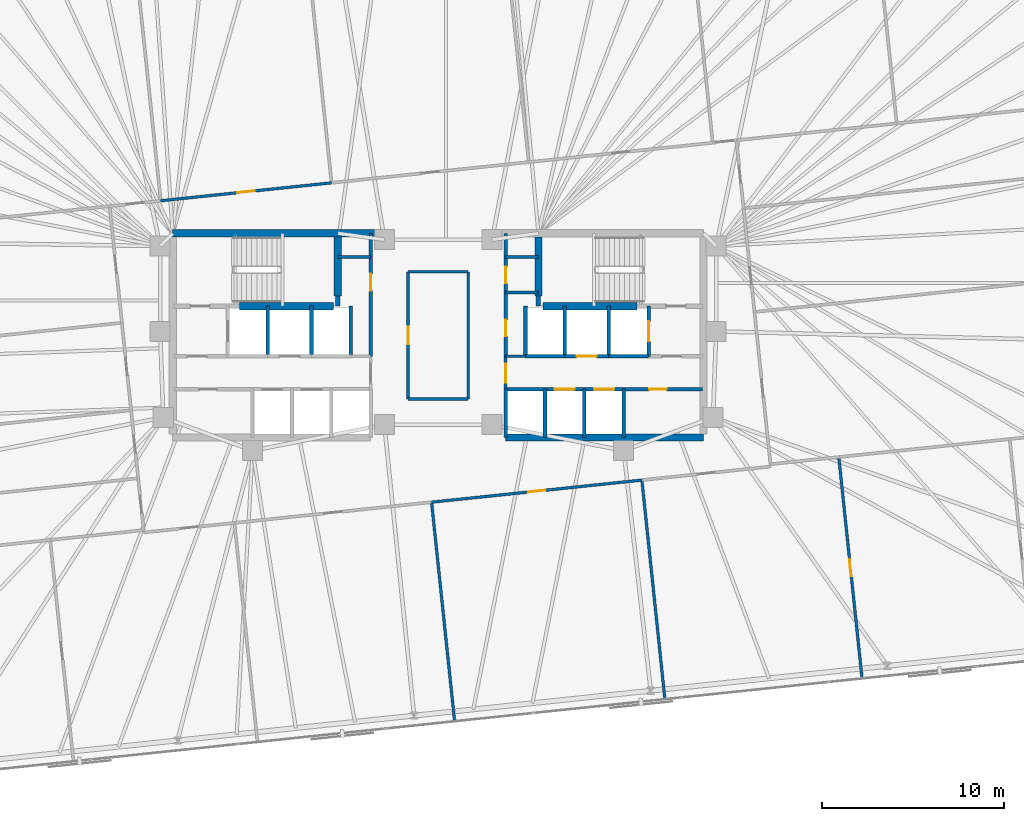
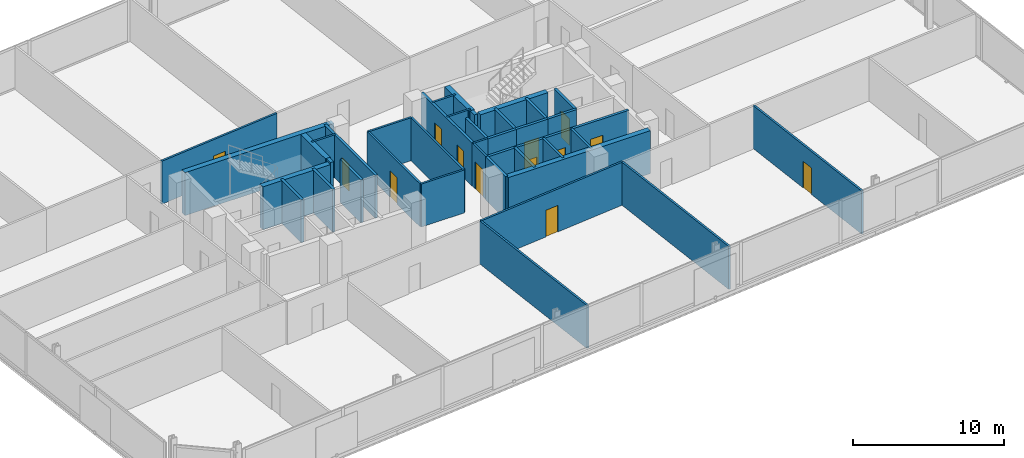
# One storey, part 15 of 18: 39 walls, 13 doors, 13 openings.
"""IFC4 building model written with IfcOpenShell, lengths in metres."""

import ifcopenshell
import ifcopenshell.guid

model = None  # the IFC model being written
_history = None  # IfcOwnerHistory: only IFC2X3 demands one
_inside = {}  # id of a spatial element -> (the spatial element, [elements in it])
_under = {}  # id of a project, library or spatial element -> (it, [spatial elements below it])
_declared = {}  # id of a project -> (the project, [libraries it declares])
_typed = {}  # id of a type object -> (the type object, [elements of that type])
_made_of = {}  # id of a material, layer set ... -> (it, [elements and type objects made of it])


def new_model(schema):
    """Start an empty IFC model of exactly this schema.

    Asked for "IFC4X3", IfcOpenShell would pick the latest addendum, in which some entities
    have other attributes; the version numbers below select the first issue.
    IFC2X3 requires an IfcOwnerHistory on every rooted entity: one is made here for all.
    """
    global model, _history
    if schema == "IFC4X3":
        model = ifcopenshell.file(schema_version=(4, 3, 0, 0))
    else:
        model = ifcopenshell.file(schema=schema)
    _inside.clear()
    _under.clear()
    _declared.clear()
    _typed.clear()
    _made_of.clear()
    _history = None
    if model.schema == "IFC2X3":
        org = make("IfcOrganization", Name="unknown")
        user = make(
            "IfcPersonAndOrganization",
            ThePerson=make("IfcPerson", FamilyName="unknown"),
            TheOrganization=org,
        )
        app = make(
            "IfcApplication",
            ApplicationDeveloper=org,
            Version="unknown",
            ApplicationFullName="unknown",
            ApplicationIdentifier="unknown",
        )
        _history = make(
            "IfcOwnerHistory",
            OwningUser=user,
            OwningApplication=app,
            ChangeAction="ADDED",
            CreationDate=0,
        )
    return model


def make(cls, **values):
    """One entity of the class cls with the attributes given. An attribute that is None is left unset."""
    return model.create_entity(
        cls, **{name: value for name, value in values.items() if value is not None}
    )


def rooted(cls, **values):
    """An entity with a GlobalId (a new one), such as an element, a storey or a relation."""
    return make(cls, GlobalId=ifcopenshell.guid.new(), OwnerHistory=_history, **values)


def si_unit(unit_type, name, prefix=None):
    """IfcSIUnit, for example si_unit("LENGTHUNIT", "METRE", prefix="MILLI")."""
    return make("IfcSIUnit", UnitType=unit_type, Prefix=prefix, Name=name)


def assignment(units):
    """IfcUnitAssignment: the units of a project."""
    return None if units is None else make("IfcUnitAssignment", Units=units)


def point(xyz):
    """IfcCartesianPoint."""
    return None if xyz is None else make("IfcCartesianPoint", Coordinates=xyz)


def direction(xyz):
    """IfcDirection."""
    return None if xyz is None else make("IfcDirection", DirectionRatios=xyz)


def frame(location, z_axis=None, x_axis=None):
    """IfcAxis2Placement3D, a coordinate frame: its origin and axes. An axis left out is left unset."""
    return make(
        "IfcAxis2Placement3D",
        Location=point(location),
        Axis=direction(z_axis),
        RefDirection=direction(x_axis),
    )


def frame_2d(location, x_axis=None):
    """IfcAxis2Placement2D, a coordinate frame in the plane: its origin and x axis."""
    return make(
        "IfcAxis2Placement2D", Location=point(location), RefDirection=direction(x_axis)
    )


def origin():
    """The frame at (0, 0, 0) with its axes left unset."""
    return frame((0.0, 0.0, 0.0))


def place(relative_to, where):
    """IfcLocalPlacement: puts the frame where relative to a parent placement (None: the world)."""
    return make(
        "IfcLocalPlacement", PlacementRelTo=relative_to, RelativePlacement=where
    )


def context(
    kind, dimensions, precision=None, world=None, true_north=None, identifier=None
):
    """IfcGeometricRepresentationContext, for example the 3D "Model" context."""
    return make(
        "IfcGeometricRepresentationContext",
        ContextIdentifier=identifier,
        ContextType=kind,
        CoordinateSpaceDimension=dimensions,
        Precision=precision,
        WorldCoordinateSystem=world,
        TrueNorth=true_north,
    )


def subcontext(parent, identifier, kind, view, scale=None):
    """IfcGeometricRepresentationSubContext, for example "Body" below "Model"."""
    return make(
        "IfcGeometricRepresentationSubContext",
        ContextIdentifier=identifier,
        ContextType=kind,
        ParentContext=parent,
        TargetScale=scale,
        TargetView=view,
    )


def project(units=None, contexts=None):
    """IfcProject with its units and contexts."""
    return rooted(
        "IfcProject",
        Name="project",
        RepresentationContexts=contexts,
        UnitsInContext=assignment(units),
    )


def spatial(cls, under=None, at=None, **own):
    """A site, building, storey or space (cls), placed at a placement, below another one or the project."""
    s = rooted(cls, ObjectPlacement=at, **own)
    if under is not None:
        _under.setdefault(under.id(), (under, []))[1].append(s)
    return s


def profile(cls, at=None, kind="AREA", **sizes):
    """A parametric profile (cls). Its sizes go by their IFC names, for example OverallWidth=200.0."""
    return make(cls, ProfileType=kind, Position=at, **sizes)


def rectangle(**sizes):
    """IfcRectangleProfileDef."""
    return profile("IfcRectangleProfileDef", **sizes)


def extrude(swept, where, along, depth):
    """IfcExtrudedAreaSolid: the profile swept, set in the frame where, extruded along a direction by depth."""
    return make(
        "IfcExtrudedAreaSolid",
        SweptArea=swept,
        Position=where,
        ExtrudedDirection=direction(along),
        Depth=depth,
    )


def shape(context_of_items, identifier, shape_type, items):
    """IfcShapeRepresentation: the items that make up one representation, for example the "Body"."""
    return make(
        "IfcShapeRepresentation",
        ContextOfItems=context_of_items,
        RepresentationIdentifier=identifier,
        RepresentationType=shape_type,
        Items=items,
    )


def material(Name=None, Category=None):
    """IfcMaterial."""
    return make("IfcMaterial", Name=Name, Category=Category)


def layer(
    of_material, thickness, ventilated=None, Name=None, Category=None, Priority=None
):
    """IfcMaterialLayer: one layer of a wall or slab, of a material (None: an air gap)."""
    return make(
        "IfcMaterialLayer",
        Material=of_material,
        LayerThickness=thickness,
        IsVentilated=ventilated,
        Name=Name,
        Category=Category,
        Priority=Priority,
    )


def layer_set(layers, Name=None):
    """IfcMaterialLayerSet."""
    return make("IfcMaterialLayerSet", MaterialLayers=layers, LayerSetName=Name)


def made_of(thing, what):
    """Note that an element or type object is made of a material, layer set ...; save() writes the relation."""
    if what is not None:
        _made_of.setdefault(what.id(), (what, []))[1].append(thing)
    return thing


def type_object(cls, material=None, **own):
    """A type object (cls), such as IfcWallType, which elements share."""
    return made_of(rooted(cls, **own), material)


def element(
    cls,
    number,
    at=None,
    inside=None,
    cuts=None,
    type_object=None,
    material=None,
    context=None,
    identifier="Body",
    shape_type=None,
    held_by="IfcProductDefinitionShape",
    body=None,
    shapes=None,
    **own,
):
    """One element of the class cls, such as IfcWall. Its Tag is "e" and its number.

    at: its placement. inside: the storey or other place that contains it. cuts: it is an
    opening in that element (IfcRelVoidsElement). A single representation is given by context,
    identifier, shape_type and body (its items); several are given by shapes. held_by: the class
    of the entity that holds the representations. save() writes the other relations.
    """
    e = rooted(cls, Tag="e%d" % number, ObjectPlacement=at, **own)
    if body is not None:
        shapes = [shape(context, identifier, shape_type, body)]
    if shapes is not None:
        e.Representation = make(held_by, Representations=shapes)
    if inside is not None:
        _inside.setdefault(inside.id(), (inside, []))[1].append(e)
    if cuts is not None:
        rooted(
            "IfcRelVoidsElement", RelatingBuildingElement=cuts, RelatedOpeningElement=e
        )
    if type_object is not None:
        _typed.setdefault(type_object.id(), (type_object, []))[1].append(e)
    return made_of(e, material)


def fill(opening, filler):
    """IfcRelFillsElement: the door or window that sits in an opening."""
    return rooted(
        "IfcRelFillsElement",
        RelatingOpeningElement=opening,
        RelatedBuildingElement=filler,
    )


def aggregate(whole, parts):
    """IfcRelAggregates: a whole, such as a stair, and the parts it consists of."""
    return rooted("IfcRelAggregates", RelatingObject=whole, RelatedObjects=parts)


def save(model, path):
    """Write the relations noted so far, then the file.

    IfcRelAggregates (storeys below a building ...), IfcRelContainedInSpatialStructure (elements
    in a storey), IfcRelDefinesByType, IfcRelAssociatesMaterial and IfcRelDeclares: one each for
    every whole, place, type object, material and project.
    """
    for whole, parts in _under.values():
        aggregate(whole, parts)
    for where, things in _inside.values():
        rooted(
            "IfcRelContainedInSpatialStructure",
            RelatedElements=things,
            RelatingStructure=where,
        )
    for kind, things in _typed.values():
        rooted("IfcRelDefinesByType", RelatedObjects=things, RelatingType=kind)
    for what, things in _made_of.values():
        rooted("IfcRelAssociatesMaterial", RelatedObjects=things, RelatingMaterial=what)
    for by, libraries in _declared.values():
        rooted("IfcRelDeclares", RelatingContext=by, RelatedDefinitions=libraries)
    model.write(path)


model = new_model("IFC4")

# Units and contexts
model_context = context("Model", 3, precision=1e-05, world=origin(), true_north=direction((0.0, 1.0)))
body_context = subcontext(model_context, "Body", "Model", "MODEL_VIEW")
ifc_project = project(units=[si_unit("LENGTHUNIT", "METRE"), si_unit("AREAUNIT", "SQUARE_METRE"), si_unit("VOLUMEUNIT", "CUBIC_METRE"), si_unit("PLANEANGLEUNIT", "RADIAN"), si_unit("MASSUNIT", "GRAM", prefix="KILO")], contexts=[model_context])

# Site, building, storey
site_placement = place(None, origin())
site = spatial("IfcSite", under=ifc_project, at=site_placement, CompositionType="ELEMENT")
building_placement = place(site_placement, origin())
building = spatial("IfcBuilding", under=site, at=building_placement, Name="Menara Jurai Vektor", CompositionType="ELEMENT")
storey_placement = place(building_placement, frame((0.0, 0.0, 120.699951171875)))
storey = spatial("IfcBuildingStorey", under=building, at=storey_placement, Name="L30", CompositionType="ELEMENT", Elevation=120.699951171875)

# Walls
ifc_material_1 = material(Name="Concrete C40/50", Category="concrete")
ifc_layer_1 = layer(ifc_material_1, 0.25)
ifc_layer_set_1 = layer_set([ifc_layer_1], Name="Concrete C40/50")
wall_type_1 = type_object("IfcWallType", Name="INT-WALL-CORE-250", PredefinedType="STANDARD", material=ifc_layer_set_1)
wall_1_placement = place(storey_placement, frame((-5.5, 1.60009765625, 0.0), z_axis=(0.0, 0.0, 1.0), x_axis=(0.0, 1.0, 0.0)))
element("IfcWall", 1, at=wall_1_placement, inside=storey, type_object=wall_type_1, Name="Interior Wall IW-250 L30", PredefinedType="STANDARD", context=body_context, shape_type="SweptSolid", body=[
    extrude(rectangle(XDim=0.5498046875, YDim=0.25, at=frame_2d((0.27490234375, 0.0))), origin(), (0.0, 0.0, 1.0), 3.47509765625),
])
wall_2_placement = place(storey_placement, frame((-9.35009765625, -1.14990234375, 0.0), z_axis=(0.0, 0.0, 1.0), x_axis=(0.0, 1.0, 0.0)))
element("IfcWall", 2, at=wall_2_placement, inside=storey, type_object=wall_type_1, Name="Interior Wall IW-250 L30", PredefinedType="STANDARD", context=body_context, shape_type="SweptSolid", body=[
    extrude(rectangle(XDim=2.75, YDim=0.199951171875, at=frame_2d((1.375, 0.0))), origin(), (0.0, 0.0, 1.0), 3.47509765625),
])
wall_3_placement = place(storey_placement, frame((5.5, 1.60009765625, 0.0), z_axis=(0.0, 0.0, 1.0), x_axis=(0.0, 1.0, 0.0)))
element("IfcWall", 3, at=wall_3_placement, inside=storey, type_object=wall_type_1, Name="Interior Wall IW-250 L30", PredefinedType="STANDARD", context=body_context, shape_type="SweptSolid", body=[
    extrude(rectangle(XDim=0.5498046875, YDim=0.25, at=frame_2d((0.27490234375, 0.0))), origin(), (0.0, 0.0, 1.0), 3.47509765625),
])

# Wall, opening, door
wall_4_placement = place(storey_placement, frame((11.550048828125, -1.14990234375, 0.0), z_axis=(0.0, 0.0, 1.0), x_axis=(0.0, 1.0, 0.0)))
wall_4 = element("IfcWall", 4, at=wall_4_placement, inside=storey, type_object=wall_type_1, Name="Interior Wall IW-250 L30", PredefinedType="STANDARD", context=body_context, shape_type="SweptSolid", body=[
    extrude(rectangle(XDim=2.75, YDim=0.199951171875, at=frame_2d((1.375, 0.0))), origin(), (0.0, 0.0, 1.0), 3.47509765625),
])
opening_1_placement = place(wall_4_placement, frame((0.824951171875, 0.0, 0.0)))
opening_1 = element("IfcOpeningElement", 5, at=opening_1_placement, cuts=wall_4, Name="Opening LD-L30-FL2", PredefinedType="OPENING", context=body_context, shape_type="SweptSolid", body=[
    extrude(rectangle(XDim=1.10009765625, YDim=2.14990234375, at=frame_2d((0.550048828125, 1.074951171875))), frame((0.0, 0.10986328125, 0.0), z_axis=(0.0, -1.0, 0.0), x_axis=(1.0, 0.0, 0.0)), (0.0, 0.0, 1.0), 0.219970703125),
])
ifc_material_2 = material(Name="Stainless Steel Sliding Lift Landing Door", Category="steel")
door_type_1 = type_object("IfcDoorType", Name="DR-LIFT-FIRE-1100", OperationType="NOTDEFINED", PredefinedType="DOOR", material=ifc_material_2)
door_1_placement = place(opening_1_placement, origin())
door_1 = element("IfcDoor", 6, at=door_1_placement, inside=storey, type_object=door_type_1, Name="Lift Landing Door FL2 L30", OperationType="SLIDING_TO_RIGHT", OverallHeight=2.14990234375, OverallWidth=1.10009765625, PredefinedType="DOOR", context=body_context, shape_type="SweptSolid", body=[
    extrude(rectangle(XDim=1.10009765625, YDim=2.14990234375, at=frame_2d((0.550048828125, 1.074951171875))), frame((0.0, 0.02490234375, 0.0), z_axis=(0.0, -1.0, 0.0), x_axis=(1.0, 0.0, 0.0)), (0.0, 0.0, 1.0), 0.050048828125),
])
fill(opening_1, door_1)

# Walls
wall_5_placement = place(storey_placement, frame((9.35009765625, -1.14990234375, 0.0), z_axis=(0.0, 0.0, 1.0), x_axis=(0.0, 1.0, 0.0)))
element("IfcWall", 7, at=wall_5_placement, inside=storey, type_object=wall_type_1, Name="Interior Wall IW-250 L30", PredefinedType="STANDARD", context=body_context, shape_type="SweptSolid", body=[
    extrude(rectangle(XDim=2.75, YDim=0.199951171875, at=frame_2d((1.375, 0.0))), origin(), (0.0, 0.0, 1.0), 3.47509765625),
])
wall_6_placement = place(storey_placement, frame((9.35009765625, -1.14990234375, 0.0), z_axis=(0.0, 0.0, 1.0), x_axis=(1.0, 0.0, 0.0)))
element("IfcWall", 8, at=wall_6_placement, inside=storey, type_object=wall_type_1, Name="Interior Wall IW-250 L30", PredefinedType="STANDARD", context=body_context, shape_type="SweptSolid", body=[
    extrude(rectangle(XDim=2.199951171875, YDim=0.199951171875, at=frame_2d((1.10009765625, 0.0))), origin(), (0.0, 0.0, 1.0), 3.47509765625),
])

# Wall, opening, door
ifc_material_3 = material(Name="Gypsum Fireboard Partition", Category="gypsum")
ifc_layer_2 = layer(ifc_material_3, 0.14990234375)
ifc_layer_set_2 = layer_set([ifc_layer_2], Name="Gypsum Fireboard Partition")
wall_type_2 = type_object("IfcWallType", Name="INT-WALL-CORR-150", PredefinedType="PARTITIONING", material=ifc_layer_set_2)
wall_7_placement = place(storey_placement, frame((3.699951171875, -2.949951171875, 0.0), z_axis=(0.0, 0.0, 1.0), x_axis=(0.0, 1.0, 0.0)))
wall_7 = element("IfcWall", 9, at=wall_7_placement, inside=storey, type_object=wall_type_2, Name="Interior Wall IW-150 L30", PredefinedType="PARTITIONING", context=body_context, shape_type="SweptSolid", body=[
    extrude(rectangle(XDim=1.800048828125, YDim=0.14990234375, at=frame_2d((0.89990234375, 0.0))), origin(), (0.0, 0.0, 1.0), 3.47509765625),
])
opening_2_placement = place(wall_7_placement, frame((0.35009765625, 0.0, 0.0)))
opening_2 = element("IfcOpeningElement", 10, at=opening_2_placement, cuts=wall_7, Name="Opening D-L30-LLE", PredefinedType="OPENING", context=body_context, shape_type="SweptSolid", body=[
    extrude(rectangle(XDim=1.050048828125, YDim=2.179931640625, at=frame_2d((0.52490234375, 1.08984375))), frame((0.0, 0.0849609375, 0.0), z_axis=(0.0, -1.0, 0.0), x_axis=(1.0, 0.0, 0.0)), (0.0, 0.0, 1.0), 0.169921875),
])
ifc_material_4 = material(Name="Fire-Rated Timber Door", Category="wood")
door_type_2 = type_object("IfcDoorType", Name="DR-LOBBY-1050", OperationType="NOTDEFINED", PredefinedType="DOOR", material=ifc_material_4)
door_2_placement = place(opening_2_placement, frame((1.050048828125, 0.0, 0.0), z_axis=(0.0, 0.0, 1.0), x_axis=(-1.0, 0.0, 0.0)))
door_2 = element("IfcDoor", 11, at=door_2_placement, inside=storey, type_object=door_type_2, Name="Lift Lobby Corridor Door E L30", OperationType="SINGLE_SWING_RIGHT", OverallHeight=2.179931640625, OverallWidth=1.050048828125, PredefinedType="DOOR", context=body_context, shape_type="SweptSolid", body=[
    extrude(rectangle(XDim=1.050048828125, YDim=2.179931640625, at=frame_2d((0.52490234375, 1.08984375))), frame((0.0, 0.02490234375, 0.0), z_axis=(0.0, -1.0, 0.0), x_axis=(1.0, 0.0, 0.0)), (0.0, 0.0, 1.0), 0.050048828125),
])
fill(opening_2, door_2)

# Walls
wall_8_placement = place(storey_placement, frame((3.699951171875, -1.14990234375, 0.0), z_axis=(0.0, 0.0, 1.0), x_axis=(1.0, 0.0, 0.0)))
element("IfcWall", 12, at=wall_8_placement, inside=storey, type_object=wall_type_2, Name="Interior Wall IW-150 L30", PredefinedType="PARTITIONING", context=body_context, shape_type="SweptSolid", body=[
    extrude(rectangle(XDim=1.090087890625, YDim=0.14990234375, at=frame_2d((0.544921875, 0.0))), origin(), (0.0, 0.0, 1.0), 3.47509765625),
])
for number, where, z_axis, x_axis, name in (
    (13, (-5.5, 4.300048828125, 0.0), (0.0, 0.0, 1.0), (1.0, 0.0, 0.0), "Interior Wall IW-150 L30"),
    (14, (3.699951171875, 4.300048828125, 0.0), (0.0, 0.0, 1.0), (1.0, 0.0, 0.0), "Interior Wall IW-150 L30"),
    (15, (3.699951171875, 2.35009765625, 0.0), (0.0, 0.0, 1.0), (1.0, 0.0, 0.0), "Interior Wall IW-150 L30"),
):
    element("IfcWall", number, at=place(storey_placement, frame(where, z_axis=z_axis, x_axis=x_axis)), inside=storey, type_object=wall_type_2, Name=name, PredefinedType="PARTITIONING", context=body_context, shape_type="SweptSolid", body=[
        extrude(rectangle(XDim=1.800048828125, YDim=0.14990234375, at=frame_2d((0.89990234375, 0.0))), origin(), (0.0, 0.0, 1.0), 3.47509765625),
    ])

# Wall, opening, door
wall_9_placement = place(storey_placement, frame((-1.649658203125, -3.490478515625, 0.0), z_axis=(0.0, 0.0, 1.0), x_axis=(-0.000104928124, 0.999999994495, 0.0)))
wall_9 = element("IfcWall", 16, at=wall_9_placement, inside=storey, type_object=wall_type_2, Name="Interior Wall IW-150 L30", PredefinedType="PARTITIONING", context=body_context, shape_type="SweptSolid", body=[
    extrude(rectangle(XDim=6.980224609375, YDim=0.14990234375, at=frame_2d((3.490234375, 0.0))), origin(), (0.0, 0.0, 1.0), 3.47509765625),
])
opening_3_placement = place(wall_9_placement, frame((3.01513671875, 0.0, 0.0)))
opening_3 = element("IfcOpeningElement", 17, at=opening_3_placement, cuts=wall_9, Name="Opening D30-06", PredefinedType="OPENING", context=body_context, shape_type="SweptSolid", body=[
    extrude(rectangle(XDim=0.949951171875, YDim=2.14990234375, at=frame_2d((0.47509765625, 1.074951171875))), frame((0.0, 0.0849609375, 0.0), z_axis=(0.0, -1.0, 0.0), x_axis=(1.0, 0.0, 0.0)), (0.0, 0.0, 1.0), 0.169921875),
])
ifc_material_5 = material(Name="Solid Core Timber Fire Door", Category="wood")
door_type_3 = type_object("IfcDoorType", Name="DR-ENTRY-950", OperationType="NOTDEFINED", PredefinedType="DOOR", material=ifc_material_5)
door_3_placement = place(opening_3_placement, origin())
door_3 = element("IfcDoor", 18, at=door_3_placement, inside=storey, type_object=door_type_3, Name="Interior Door D30-06", OperationType="SINGLE_SWING_LEFT", OverallHeight=2.14990234375, OverallWidth=0.949951171875, PredefinedType="DOOR", context=body_context, shape_type="SweptSolid", body=[
    extrude(rectangle(XDim=0.949951171875, YDim=2.14990234375, at=frame_2d((0.47509765625, 1.074951171875))), frame((0.0, 0.02490234375, 0.0), z_axis=(0.0, -1.0, 0.0), x_axis=(1.0, 0.0, 0.0)), (0.0, 0.0, 1.0), 0.050048828125),
])
fill(opening_3, door_3)

# Walls
wall_10_placement = place(storey_placement, frame((-1.649658203125, -3.490478515625, 0.0), z_axis=(0.0, 0.0, 1.0), x_axis=(1.0, 0.0, 0.0)))
element("IfcWall", 19, at=wall_10_placement, inside=storey, type_object=wall_type_2, Name="Interior Wall IW-150 L30", PredefinedType="PARTITIONING", context=body_context, shape_type="SweptSolid", body=[
    extrude(rectangle(XDim=3.300048828125, YDim=0.14990234375, at=frame_2d((1.64990234375, 0.0))), origin(), (0.0, 0.0, 1.0), 3.47509765625),
])
wall_11_placement = place(storey_placement, frame((-1.650390625, 3.48974609375, 0.0), z_axis=(0.0, 0.0, 1.0), x_axis=(1.0, 0.0, 0.0)))
element("IfcWall", 20, at=wall_11_placement, inside=storey, type_object=wall_type_2, Name="Interior Wall IW-150 L30", PredefinedType="PARTITIONING", context=body_context, shape_type="SweptSolid", body=[
    extrude(rectangle(XDim=3.30029296875, YDim=0.14990234375, at=frame_2d((1.650146484375, 0.0))), origin(), (0.0, 0.0, 1.0), 3.47509765625),
])
wall_12_placement = place(storey_placement, frame((1.650390625, -3.490478515625, 0.0), z_axis=(0.0, 0.0, 1.0), x_axis=(-6.9952083e-05, 0.999999997553, 0.0)))
element("IfcWall", 21, at=wall_12_placement, inside=storey, type_object=wall_type_2, Name="Interior Wall IW-150 L30", PredefinedType="PARTITIONING", context=body_context, shape_type="SweptSolid", body=[
    extrude(rectangle(XDim=6.980224609375, YDim=0.14990234375, at=frame_2d((3.490234375, 0.0))), origin(), (0.0, 0.0, 1.0), 3.47509765625),
])

# Wall, opening, door
wall_13_placement = place(storey_placement, frame((-15.2197265625, 7.384765625, 0.0), z_axis=(0.0, 0.0, 1.0), x_axis=(0.994522614078, 0.104521624979, 0.0)))
wall_13 = element("IfcWall", 22, at=wall_13_placement, inside=storey, type_object=wall_type_2, Name="Interior Wall IW-150 L30", PredefinedType="PARTITIONING", context=body_context, shape_type="SweptSolid", body=[
    extrude(rectangle(XDim=9.4248046875, YDim=0.14990234375, at=frame_2d((4.71240234375, 0.0))), origin(), (0.0, 0.0, 1.0), 3.47509765625),
])
opening_4_placement = place(wall_13_placement, frame((4.237548828125, 0.0, 0.0)))
opening_4 = element("IfcOpeningElement", 23, at=opening_4_placement, cuts=wall_13, Name="Opening D30-08", PredefinedType="OPENING", context=body_context, shape_type="SweptSolid", body=[
    extrude(rectangle(XDim=0.949951171875, YDim=2.14990234375, at=frame_2d((0.47509765625, 1.074951171875))), frame((0.0, 0.0849609375, 0.0), z_axis=(0.0, -1.0, 0.0), x_axis=(1.0, 0.0, 0.0)), (0.0, 0.0, 1.0), 0.169921875),
])
door_4_placement = place(opening_4_placement, origin())
door_4 = element("IfcDoor", 24, at=door_4_placement, inside=storey, type_object=door_type_3, Name="Interior Door D30-08", OperationType="SINGLE_SWING_LEFT", OverallHeight=2.14990234375, OverallWidth=0.949951171875, PredefinedType="DOOR", context=body_context, shape_type="SweptSolid", body=[
    extrude(rectangle(XDim=0.949951171875, YDim=2.14990234375, at=frame_2d((0.47509765625, 1.074951171875))), frame((0.0, 0.02490234375, 0.0), z_axis=(0.0, -1.0, 0.0), x_axis=(1.0, 0.0, 0.0)), (0.0, 0.0, 1.0), 0.050048828125),
])
fill(opening_4, door_4)

wall_14_placement = place(storey_placement, frame((-0.35986328125, -9.150634765625, 0.0), z_axis=(0.0, 0.0, 1.0), x_axis=(0.994520780406, 0.10453907088, 0.0)))
wall_14 = element("IfcWall", 25, at=wall_14_placement, inside=storey, type_object=wall_type_2, Name="Interior Wall IW-150 L30", PredefinedType="PARTITIONING", context=body_context, shape_type="SweptSolid", body=[
    extrude(rectangle(XDim=11.599853515625, YDim=0.14990234375, at=frame_2d((5.7998046875, 0.0))), origin(), (0.0, 0.0, 1.0), 3.47509765625),
])
opening_5_placement = place(wall_14_placement, frame((5.324951171875, 0.0, 0.0)))
opening_5 = element("IfcOpeningElement", 26, at=opening_5_placement, cuts=wall_14, Name="Opening D30-14", PredefinedType="OPENING", context=body_context, shape_type="SweptSolid", body=[
    extrude(rectangle(XDim=0.949951171875, YDim=2.14990234375, at=frame_2d((0.47509765625, 1.074951171875))), frame((0.0, 0.0849609375, 0.0), z_axis=(0.0, -1.0, 0.0), x_axis=(1.0, 0.0, 0.0)), (0.0, 0.0, 1.0), 0.169921875),
])
door_5_placement = place(opening_5_placement, origin())
door_5 = element("IfcDoor", 27, at=door_5_placement, inside=storey, type_object=door_type_3, Name="Interior Door D30-14", OperationType="SINGLE_SWING_LEFT", OverallHeight=2.14990234375, OverallWidth=0.949951171875, PredefinedType="DOOR", context=body_context, shape_type="SweptSolid", body=[
    extrude(rectangle(XDim=0.949951171875, YDim=2.14990234375, at=frame_2d((0.47509765625, 1.074951171875))), frame((0.0, 0.02490234375, 0.0), z_axis=(0.0, -1.0, 0.0), x_axis=(1.0, 0.0, 0.0)), (0.0, 0.0, 1.0), 0.050048828125),
])
fill(opening_5, door_5)

# Walls
wall_15_placement = place(storey_placement, frame((0.904052734375, -21.17724609375, 0.0), z_axis=(0.0, 0.0, 1.0), x_axis=(-0.104517685722, 0.994523028075, 0.0)))
element("IfcWall", 28, at=wall_15_placement, inside=storey, type_object=wall_type_2, Name="Interior Wall IW-150 L30", PredefinedType="PARTITIONING", context=body_context, shape_type="SweptSolid", body=[
    extrude(rectangle(XDim=12.0927734375, YDim=0.14990234375, at=frame_2d((6.04638671875, 0.0))), origin(), (0.0, 0.0, 1.0), 3.47509765625),
])
wall_16_placement = place(storey_placement, frame((12.440673828125, -19.96484375, 0.0), z_axis=(0.0, 0.0, 1.0), x_axis=(-0.104535555083, 0.994521149963, 0.0)))
element("IfcWall", 29, at=wall_16_placement, inside=storey, type_object=wall_type_2, Name="Interior Wall IW-150 L30", PredefinedType="PARTITIONING", context=body_context, shape_type="SweptSolid", body=[
    extrude(rectangle(XDim=12.093017578125, YDim=0.14990234375, at=frame_2d((6.04638671875, 0.0))), origin(), (0.0, 0.0, 1.0), 3.47509765625),
])

# Wall, opening, door
wall_17_placement = place(storey_placement, frame((23.256103515625, -18.828125, 0.0), z_axis=(0.0, 0.0, 1.0), x_axis=(-0.104540236679, 0.994520657862, 0.0)))
wall_17 = element("IfcWall", 30, at=wall_17_placement, inside=storey, type_object=wall_type_2, Name="Interior Wall IW-150 L30", PredefinedType="PARTITIONING", context=body_context, shape_type="SweptSolid", body=[
    extrude(rectangle(XDim=12.220947265625, YDim=0.14990234375, at=frame_2d((6.1103515625, 0.0))), origin(), (0.0, 0.0, 1.0), 3.47509765625),
])
opening_6_placement = place(wall_17_placement, frame((5.635498046875, 0.0, 0.0)))
opening_6 = element("IfcOpeningElement", 31, at=opening_6_placement, cuts=wall_17, Name="Opening D30-26", PredefinedType="OPENING", context=body_context, shape_type="SweptSolid", body=[
    extrude(rectangle(XDim=0.949951171875, YDim=2.14990234375, at=frame_2d((0.47509765625, 1.074951171875))), frame((0.0, 0.0849609375, 0.0), z_axis=(0.0, -1.0, 0.0), x_axis=(1.0, 0.0, 0.0)), (0.0, 0.0, 1.0), 0.169921875),
])
door_6_placement = place(opening_6_placement, origin())
door_6 = element("IfcDoor", 32, at=door_6_placement, inside=storey, type_object=door_type_3, Name="Interior Door D30-26", OperationType="SINGLE_SWING_LEFT", OverallHeight=2.14990234375, OverallWidth=0.949951171875, PredefinedType="DOOR", context=body_context, shape_type="SweptSolid", body=[
    extrude(rectangle(XDim=0.949951171875, YDim=2.14990234375, at=frame_2d((0.47509765625, 1.074951171875))), frame((0.0, 0.02490234375, 0.0), z_axis=(0.0, -1.0, 0.0), x_axis=(1.0, 0.0, 0.0)), (0.0, 0.0, 1.0), 0.050048828125),
])
fill(opening_6, door_6)

ifc_layer_3 = layer(ifc_material_1, 0.199951171875)
ifc_layer_set_3 = layer_set([ifc_layer_3], Name="Concrete C40/50")
wall_type_3 = type_object("IfcWallType", Name="INT-WALL-SHAFT-200", PredefinedType="STANDARD", material=ifc_layer_set_3)
wall_18_placement = place(storey_placement, frame((-3.699951171875, -1.14990234375, 0.0), z_axis=(0.0, 0.0, 1.0), x_axis=(0.0, 1.0, 0.0)))
wall_18 = element("IfcWall", 33, at=wall_18_placement, inside=storey, type_object=wall_type_3, Name="Interior Wall IW-200 L30", PredefinedType="STANDARD", context=body_context, shape_type="SweptSolid", body=[
    extrude(rectangle(XDim=6.75, YDim=0.199951171875, at=frame_2d((3.375, 0.0))), origin(), (0.0, 0.0, 1.0), 3.47509765625),
])
opening_7_placement = place(wall_18_placement, frame((3.60009765625, 0.0, 0.0)))
opening_7 = element("IfcOpeningElement", 34, at=opening_7_placement, cuts=wall_18, Name="Opening D30-02", PredefinedType="OPENING", context=body_context, shape_type="SweptSolid", body=[
    extrude(rectangle(XDim=0.919921875, YDim=2.14990234375, at=frame_2d((0.4599609375, 1.074951171875))), frame((0.0, 0.10986328125, 0.0), z_axis=(0.0, -1.0, 0.0), x_axis=(1.0, 0.0, 0.0)), (0.0, 0.0, 1.0), 0.219970703125),
])
door_7_placement = place(opening_7_placement, origin())
door_7 = element("IfcDoor", 35, at=door_7_placement, inside=storey, type_object=door_type_3, Name="Interior Door D30-02", OperationType="SINGLE_SWING_LEFT", OverallHeight=2.14990234375, OverallWidth=0.919921875, PredefinedType="DOOR", context=body_context, shape_type="SweptSolid", body=[
    extrude(rectangle(XDim=0.919921875, YDim=2.14990234375, at=frame_2d((0.4599609375, 1.074951171875))), frame((0.0, 0.02490234375, 0.0), z_axis=(0.0, -1.0, 0.0), x_axis=(1.0, 0.0, 0.0)), (0.0, 0.0, 1.0), 0.050048828125),
])
fill(opening_7, door_7)

# Walls
for number, where, z_axis, x_axis, name in (
    (36, (-6.949951171875, -1.14990234375, 0.0), (0.0, 0.0, 1.0), (0.0, 1.0, 0.0), "Interior Wall IW-200 L30"),
    (37, (-4.7900390625, -1.14990234375, 0.0), (0.0, 0.0, 1.0), (0.0, 1.0, 0.0), "Interior Wall IW-200 L30"),
):
    element("IfcWall", number, at=place(storey_placement, frame(where, z_axis=z_axis, x_axis=x_axis)), inside=storey, type_object=wall_type_3, Name=name, PredefinedType="STANDARD", context=body_context, shape_type="SweptSolid", body=[
        extrude(rectangle(XDim=2.75, YDim=0.199951171875, at=frame_2d((1.375, 0.0))), origin(), (0.0, 0.0, 1.0), 3.47509765625),
    ])

# Wall, openings, doors
wall_19_placement = place(storey_placement, frame((3.699951171875, -1.14990234375, 0.0), z_axis=(0.0, 0.0, 1.0), x_axis=(0.0, 1.0, 0.0)))
wall_19 = element("IfcWall", 38, at=wall_19_placement, inside=storey, type_object=wall_type_3, Name="Interior Wall IW-200 L30", PredefinedType="STANDARD", context=body_context, shape_type="SweptSolid", body=[
    extrude(rectangle(XDim=6.75, YDim=0.199951171875, at=frame_2d((3.375, 0.0))), origin(), (0.0, 0.0, 1.0), 3.47509765625),
])
opening_8_placement = place(wall_19_placement, frame((1.10009765625, 0.0, 0.0)))
opening_8 = element("IfcOpeningElement", 39, at=opening_8_placement, cuts=wall_19, Name="Opening D30-04", PredefinedType="OPENING", context=body_context, shape_type="SweptSolid", body=[
    extrude(rectangle(XDim=0.89990234375, YDim=2.14990234375, at=frame_2d((0.449951171875, 1.074951171875))), frame((0.0, 0.10986328125, 0.0), z_axis=(0.0, -1.0, 0.0), x_axis=(1.0, 0.0, 0.0)), (0.0, 0.0, 1.0), 0.219970703125),
])
opening_9_placement = place(wall_19_placement, frame((4.0, 0.0, 0.0)))
opening_9 = element("IfcOpeningElement", 40, at=opening_9_placement, cuts=wall_19, Name="Opening D30-05", PredefinedType="OPENING", context=body_context, shape_type="SweptSolid", body=[
    extrude(rectangle(XDim=0.919921875, YDim=2.14990234375, at=frame_2d((0.4599609375, 1.074951171875))), frame((0.0, 0.10986328125, 0.0), z_axis=(0.0, -1.0, 0.0), x_axis=(1.0, 0.0, 0.0)), (0.0, 0.0, 1.0), 0.219970703125),
])
door_8_placement = place(opening_8_placement, origin())
door_8 = element("IfcDoor", 41, at=door_8_placement, inside=storey, type_object=door_type_3, Name="Interior Door D30-04", OperationType="SINGLE_SWING_RIGHT", OverallHeight=2.14990234375, OverallWidth=0.89990234375, PredefinedType="DOOR", context=body_context, shape_type="SweptSolid", body=[
    extrude(rectangle(XDim=0.89990234375, YDim=2.14990234375, at=frame_2d((0.449951171875, 1.074951171875))), frame((0.0, 0.02490234375, 0.0), z_axis=(0.0, -1.0, 0.0), x_axis=(1.0, 0.0, 0.0)), (0.0, 0.0, 1.0), 0.050048828125),
])
fill(opening_8, door_8)
door_9_placement = place(opening_9_placement, origin())
door_9 = element("IfcDoor", 42, at=door_9_placement, inside=storey, type_object=door_type_3, Name="Interior Door D30-05", OperationType="SINGLE_SWING_RIGHT", OverallHeight=2.14990234375, OverallWidth=0.919921875, PredefinedType="DOOR", context=body_context, shape_type="SweptSolid", body=[
    extrude(rectangle(XDim=0.919921875, YDim=2.14990234375, at=frame_2d((0.4599609375, 1.074951171875))), frame((0.0, 0.02490234375, 0.0), z_axis=(0.0, -1.0, 0.0), x_axis=(1.0, 0.0, 0.0)), (0.0, 0.0, 1.0), 0.050048828125),
])
fill(opening_9, door_9)

# Walls
wall_20_placement = place(storey_placement, frame((3.699951171875, -5.60009765625, 0.0), z_axis=(0.0, 0.0, 1.0), x_axis=(0.0, 1.0, 0.0)))
element("IfcWall", 43, at=wall_20_placement, inside=storey, type_object=wall_type_3, Name="Interior Wall IW-200 L30", PredefinedType="STANDARD", context=body_context, shape_type="SweptSolid", body=[
    extrude(rectangle(XDim=2.650146484375, YDim=0.199951171875, at=frame_2d((1.3251953125, 0.0))), origin(), (0.0, 0.0, 1.0), 3.47509765625),
])
wall_21_placement = place(storey_placement, frame((6.949951171875, -1.14990234375, 0.0), z_axis=(0.0, 0.0, 1.0), x_axis=(0.0, 1.0, 0.0)))
element("IfcWall", 44, at=wall_21_placement, inside=storey, type_object=wall_type_3, Name="Interior Wall IW-200 L30", PredefinedType="STANDARD", context=body_context, shape_type="SweptSolid", body=[
    extrude(rectangle(XDim=2.75, YDim=0.199951171875, at=frame_2d((1.375, 0.0))), origin(), (0.0, 0.0, 1.0), 3.47509765625),
])

# Wall, opening, door
wall_22_placement = place(storey_placement, frame((6.949951171875, -1.14990234375, 0.0), z_axis=(0.0, 0.0, 1.0), x_axis=(1.0, 0.0, 0.0)))
wall_22 = element("IfcWall", 45, at=wall_22_placement, inside=storey, type_object=wall_type_3, Name="Interior Wall IW-200 L30", PredefinedType="STANDARD", context=body_context, shape_type="SweptSolid", body=[
    extrude(rectangle(XDim=2.400146484375, YDim=0.199951171875, at=frame_2d((1.2001953125, 0.0))), origin(), (0.0, 0.0, 1.0), 3.47509765625),
])
opening_10_placement = place(wall_22_placement, frame((0.64990234375, 0.0, 0.0)))
opening_10 = element("IfcOpeningElement", 46, at=opening_10_placement, cuts=wall_22, Name="Opening LD-L30-SVL2", PredefinedType="OPENING", context=body_context, shape_type="SweptSolid", body=[
    extrude(rectangle(XDim=1.10009765625, YDim=2.14990234375, at=frame_2d((0.550048828125, 1.074951171875))), frame((0.0, 0.10986328125, 0.0), z_axis=(0.0, -1.0, 0.0), x_axis=(1.0, 0.0, 0.0)), (0.0, 0.0, 1.0), 0.219970703125),
])
ifc_material_6 = material(Name="Anodised Stainless Sliding Lift Landing Door", Category="steel")
door_type_4 = type_object("IfcDoorType", Name="DR-LIFT-PASS-1100", OperationType="NOTDEFINED", PredefinedType="DOOR", material=ifc_material_6)
door_10_placement = place(opening_10_placement, origin())
door_10 = element("IfcDoor", 47, at=door_10_placement, inside=storey, type_object=door_type_4, Name="Lift Landing Door SVL2 L30", OperationType="SLIDING_TO_RIGHT", OverallHeight=2.14990234375, OverallWidth=1.10009765625, PredefinedType="DOOR", context=body_context, shape_type="SweptSolid", body=[
    extrude(rectangle(XDim=1.10009765625, YDim=2.14990234375, at=frame_2d((0.550048828125, 1.074951171875))), frame((0.0, 0.02490234375, 0.0), z_axis=(0.0, -1.0, 0.0), x_axis=(1.0, 0.0, 0.0)), (0.0, 0.0, 1.0), 0.050048828125),
])
fill(opening_10, door_10)

# Walls
wall_23_placement = place(storey_placement, frame((4.7900390625, -1.14990234375, 0.0), z_axis=(0.0, 0.0, 1.0), x_axis=(0.0, 1.0, 0.0)))
element("IfcWall", 48, at=wall_23_placement, inside=storey, type_object=wall_type_3, Name="Interior Wall IW-200 L30", PredefinedType="STANDARD", context=body_context, shape_type="SweptSolid", body=[
    extrude(rectangle(XDim=2.75, YDim=0.199951171875, at=frame_2d((1.375, 0.0))), origin(), (0.0, 0.0, 1.0), 3.47509765625),
])
wall_24_placement = place(storey_placement, frame((4.7900390625, -1.14990234375, 0.0), z_axis=(0.0, 0.0, 1.0), x_axis=(1.0, 0.0, 0.0)))
element("IfcWall", 49, at=wall_24_placement, inside=storey, type_object=wall_type_3, Name="Interior Wall IW-200 L30", PredefinedType="STANDARD", context=body_context, shape_type="SweptSolid", body=[
    extrude(rectangle(XDim=2.159912109375, YDim=0.199951171875, at=frame_2d((1.080078125, 0.0))), origin(), (0.0, 0.0, 1.0), 3.47509765625),
])

# Wall, openings, doors
wall_25_placement = place(storey_placement, frame((3.699951171875, -2.949951171875, 0.0), z_axis=(0.0, 0.0, 1.0), x_axis=(1.0, 0.0, 0.0)))
wall_25 = element("IfcWall", 50, at=wall_25_placement, inside=storey, type_object=wall_type_3, Name="Interior Wall IW-200 L30", PredefinedType="STANDARD", context=body_context, shape_type="SweptSolid", body=[
    extrude(rectangle(XDim=10.800048828125, YDim=0.199951171875, at=frame_2d((5.39990234375, 0.0))), origin(), (0.0, 0.0, 1.0), 3.47509765625),
])
opening_11_placement = place(wall_25_placement, frame((2.68994140625, 0.0, 0.0)))
opening_11 = element("IfcOpeningElement", 51, at=opening_11_placement, cuts=wall_25, Name="Opening LD-L30-PM3", PredefinedType="OPENING", context=body_context, shape_type="SweptSolid", body=[
    extrude(rectangle(XDim=1.10009765625, YDim=2.14990234375, at=frame_2d((0.550048828125, 1.074951171875))), frame((0.0, 0.10986328125, 0.0), z_axis=(0.0, -1.0, 0.0), x_axis=(1.0, 0.0, 0.0)), (0.0, 0.0, 1.0), 0.219970703125),
])
opening_12_placement = place(wall_25_placement, frame((4.85009765625, 0.0, 0.0)))
opening_12 = element("IfcOpeningElement", 52, at=opening_12_placement, cuts=wall_25, Name="Opening LD-L30-PM4", PredefinedType="OPENING", context=body_context, shape_type="SweptSolid", body=[
    extrude(rectangle(XDim=1.10009765625, YDim=2.14990234375, at=frame_2d((0.550048828125, 1.074951171875))), frame((0.0, 0.10986328125, 0.0), z_axis=(0.0, -1.0, 0.0), x_axis=(1.0, 0.0, 0.0)), (0.0, 0.0, 1.0), 0.219970703125),
])
opening_13_placement = place(wall_25_placement, frame((7.8798828125, 0.0, 0.0)))
opening_13 = element("IfcOpeningElement", 53, at=opening_13_placement, cuts=wall_25, Name="Opening D30-03", PredefinedType="OPENING", context=body_context, shape_type="SweptSolid", body=[
    extrude(rectangle(XDim=0.949951171875, YDim=2.14990234375, at=frame_2d((0.47509765625, 1.074951171875))), frame((0.0, 0.10986328125, 0.0), z_axis=(0.0, -1.0, 0.0), x_axis=(1.0, 0.0, 0.0)), (0.0, 0.0, 1.0), 0.219970703125),
])
door_11_placement = place(opening_13_placement, origin())
door_11 = element("IfcDoor", 54, at=door_11_placement, inside=storey, type_object=door_type_3, Name="Interior Door D30-03", OperationType="SINGLE_SWING_LEFT", OverallHeight=2.14990234375, OverallWidth=0.949951171875, PredefinedType="DOOR", context=body_context, shape_type="SweptSolid", body=[
    extrude(rectangle(XDim=0.949951171875, YDim=2.14990234375, at=frame_2d((0.47509765625, 1.074951171875))), frame((0.0, 0.02490234375, 0.0), z_axis=(0.0, -1.0, 0.0), x_axis=(1.0, 0.0, 0.0)), (0.0, 0.0, 1.0), 0.050048828125),
])
fill(opening_13, door_11)
door_12_placement = place(opening_11_placement, origin())
door_12 = element("IfcDoor", 55, at=door_12_placement, inside=storey, type_object=door_type_4, Name="Lift Landing Door PM3 L30", OperationType="SLIDING_TO_LEFT", OverallHeight=2.14990234375, OverallWidth=1.10009765625, PredefinedType="DOOR", context=body_context, shape_type="SweptSolid", body=[
    extrude(rectangle(XDim=1.10009765625, YDim=2.14990234375, at=frame_2d((0.550048828125, 1.074951171875))), frame((0.0, 0.02490234375, 0.0), z_axis=(0.0, -1.0, 0.0), x_axis=(1.0, 0.0, 0.0)), (0.0, 0.0, 1.0), 0.050048828125),
])
fill(opening_11, door_12)
door_13_placement = place(opening_12_placement, origin())
door_13 = element("IfcDoor", 56, at=door_13_placement, inside=storey, type_object=door_type_4, Name="Lift Landing Door PM4 L30", OperationType="SLIDING_TO_RIGHT", OverallHeight=2.14990234375, OverallWidth=1.10009765625, PredefinedType="DOOR", context=body_context, shape_type="SweptSolid", body=[
    extrude(rectangle(XDim=1.10009765625, YDim=2.14990234375, at=frame_2d((0.550048828125, 1.074951171875))), frame((0.0, 0.02490234375, 0.0), z_axis=(0.0, -1.0, 0.0), x_axis=(1.0, 0.0, 0.0)), (0.0, 0.0, 1.0), 0.050048828125),
])
fill(opening_12, door_13)

# Walls
wall_26_placement = place(storey_placement, frame((5.860107421875, -5.60009765625, 0.0), z_axis=(0.0, 0.0, 1.0), x_axis=(0.0, 1.0, 0.0)))
element("IfcWall", 57, at=wall_26_placement, inside=storey, type_object=wall_type_3, Name="Interior Wall IW-200 L30", PredefinedType="STANDARD", context=body_context, shape_type="SweptSolid", body=[
    extrude(rectangle(XDim=2.650146484375, YDim=0.199951171875, at=frame_2d((1.3251953125, 0.0))), origin(), (0.0, 0.0, 1.0), 3.47509765625),
])
for number, where, z_axis, x_axis, name in (
    (58, (10.179931640625, -5.60009765625, 0.0), (0.0, 0.0, 1.0), (0.0, 1.0, 0.0), "Interior Wall IW-200 L30"),
    (59, (8.02001953125, -5.60009765625, 0.0), (0.0, 0.0, 1.0), (0.0, 1.0, 0.0), "Interior Wall IW-200 L30"),
):
    element("IfcWall", number, at=place(storey_placement, frame(where, z_axis=z_axis, x_axis=x_axis)), inside=storey, type_object=wall_type_3, Name=name, PredefinedType="STANDARD", context=body_context, shape_type="SweptSolid", body=[
        extrude(rectangle(XDim=2.650146484375, YDim=0.179931640625, at=frame_2d((1.3251953125, 0.0))), origin(), (0.0, 0.0, 1.0), 3.47509765625),
    ])
ifc_material_7 = material(Name="Concrete C50/60", Category="concrete")
ifc_layer_4 = layer(ifc_material_7, 0.39990234375)
ifc_layer_set_4 = layer_set([ifc_layer_4], Name="Concrete C50/60")
wall_type_4 = type_object("IfcWallType", Name="STR-WALL-CORE400", PredefinedType="SHEAR", material=ifc_layer_set_4)
wall_27_placement = place(storey_placement, frame((-14.56005859375, 5.60009765625, 0.0), z_axis=(0.0, 0.0, 1.0), x_axis=(1.0, 0.0, 0.0)))
element("IfcWall", 60, at=wall_27_placement, inside=storey, type_object=wall_type_4, Name="Core Shear Wall CW-W-N L30", PredefinedType="SHEAR", context=body_context, shape_type="SweptSolid", body=[
    extrude(rectangle(XDim=11.41015625, YDim=0.39990234375, at=frame_2d((5.705078125, 0.0))), origin(), (0.0, 0.0, 1.0), 3.47509765625),
])
wall_28_placement = place(storey_placement, frame((-5.5, 2.14990234375, 0.0), z_axis=(0.0, 0.0, 1.0), x_axis=(0.0, 1.0, 0.0)))
element("IfcWall", 61, at=wall_28_placement, inside=storey, type_object=wall_type_4, Name="Core Shear Wall CW-W-ST L30", PredefinedType="SHEAR", context=body_context, shape_type="SweptSolid", body=[
    extrude(rectangle(XDim=3.25, YDim=0.39990234375, at=frame_2d((1.625, 0.0))), origin(), (0.0, 0.0, 1.0), 3.47509765625),
])
wall_29_placement = place(storey_placement, frame((-10.89990234375, 1.60009765625, 0.0), z_axis=(0.0, 0.0, 1.0), x_axis=(1.0, 0.0, 0.0)))
element("IfcWall", 62, at=wall_29_placement, inside=storey, type_object=wall_type_4, Name="Core Shear Wall CW-W-STS L30", PredefinedType="SHEAR", context=body_context, shape_type="SweptSolid", body=[
    extrude(rectangle(XDim=5.14990234375, YDim=0.39990234375, at=frame_2d((2.574951171875, 0.0))), origin(), (0.0, 0.0, 1.0), 3.47509765625),
])
wall_30_placement = place(storey_placement, frame((3.699951171875, -5.60009765625, 0.0), z_axis=(0.0, 0.0, 1.0), x_axis=(1.0, 0.0, 0.0)))
element("IfcWall", 63, at=wall_30_placement, inside=storey, type_object=wall_type_4, Name="Core Shear Wall CW-E-S L30", PredefinedType="SHEAR", context=body_context, shape_type="SweptSolid", body=[
    extrude(rectangle(XDim=10.860107421875, YDim=0.39990234375, at=frame_2d((5.43017578125, 0.0))), origin(), (0.0, 0.0, 1.0), 3.47509765625),
])
wall_31_placement = place(storey_placement, frame((5.5, 2.14990234375, 0.0), z_axis=(0.0, 0.0, 1.0), x_axis=(0.0, 1.0, 0.0)))
element("IfcWall", 64, at=wall_31_placement, inside=storey, type_object=wall_type_4, Name="Core Shear Wall CW-E-ST L30", PredefinedType="SHEAR", context=body_context, shape_type="SweptSolid", body=[
    extrude(rectangle(XDim=3.25, YDim=0.39990234375, at=frame_2d((1.625, 0.0))), origin(), (0.0, 0.0, 1.0), 3.47509765625),
])
wall_32_placement = place(storey_placement, frame((5.75, 1.60009765625, 0.0), z_axis=(0.0, 0.0, 1.0), x_axis=(1.0, 0.0, 0.0)))
element("IfcWall", 65, at=wall_32_placement, inside=storey, type_object=wall_type_4, Name="Core Shear Wall CW-E-STS L30", PredefinedType="SHEAR", context=body_context, shape_type="SweptSolid", body=[
    extrude(rectangle(XDim=5.14990234375, YDim=0.39990234375, at=frame_2d((2.574951171875, 0.0))), origin(), (0.0, 0.0, 1.0), 3.47509765625),
])

save(model, "model.ifc")
